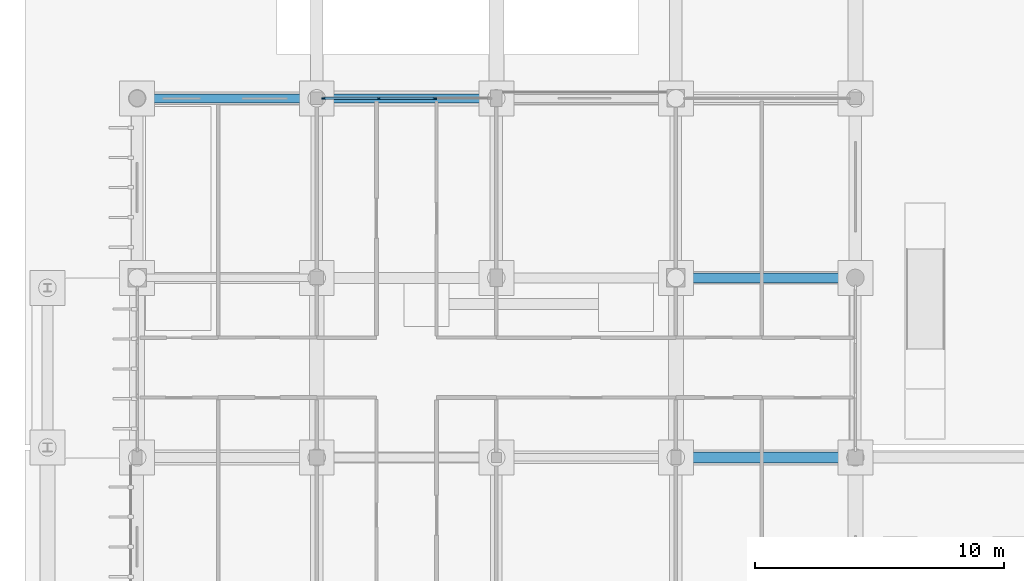
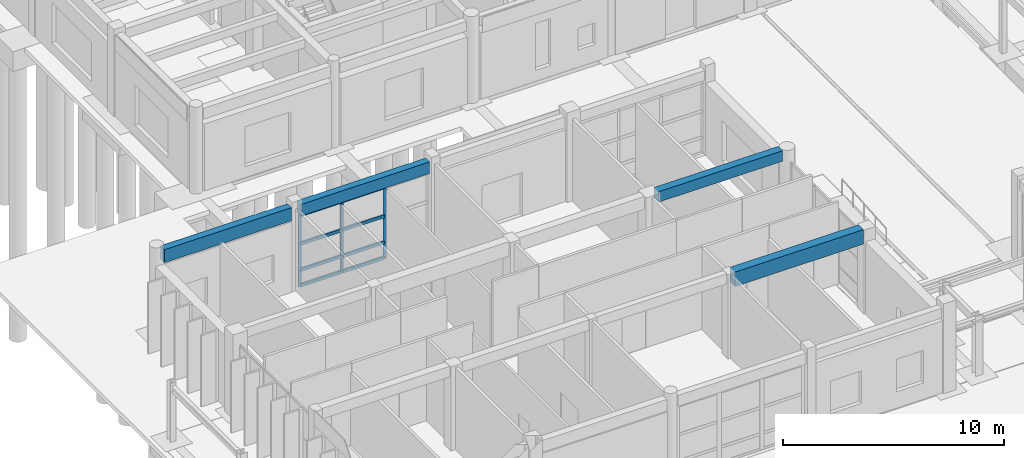
# One storey, part 35 of 143: 11 members, 4 beams, 1 element without a shape of its own.
"""IFC4 building model written with IfcOpenShell, lengths in metres."""

import ifcopenshell
import ifcopenshell.guid

model = None  # the IFC model being written
_history = None  # IfcOwnerHistory: only IFC2X3 demands one
_inside = {}  # id of a spatial element -> (the spatial element, [elements in it])
_under = {}  # id of a project, library or spatial element -> (it, [spatial elements below it])
_declared = {}  # id of a project -> (the project, [libraries it declares])
_typed = {}  # id of a type object -> (the type object, [elements of that type])
_made_of = {}  # id of a material, layer set ... -> (it, [elements and type objects made of it])


def new_model(schema):
    """Start an empty IFC model of exactly this schema.

    Asked for "IFC4X3", IfcOpenShell would pick the latest addendum, in which some entities
    have other attributes; the version numbers below select the first issue.
    IFC2X3 requires an IfcOwnerHistory on every rooted entity: one is made here for all.
    """
    global model, _history
    if schema == "IFC4X3":
        model = ifcopenshell.file(schema_version=(4, 3, 0, 0))
    else:
        model = ifcopenshell.file(schema=schema)
    _inside.clear()
    _under.clear()
    _declared.clear()
    _typed.clear()
    _made_of.clear()
    _history = None
    if model.schema == "IFC2X3":
        org = make("IfcOrganization", Name="unknown")
        user = make(
            "IfcPersonAndOrganization",
            ThePerson=make("IfcPerson", FamilyName="unknown"),
            TheOrganization=org,
        )
        app = make(
            "IfcApplication",
            ApplicationDeveloper=org,
            Version="unknown",
            ApplicationFullName="unknown",
            ApplicationIdentifier="unknown",
        )
        _history = make(
            "IfcOwnerHistory",
            OwningUser=user,
            OwningApplication=app,
            ChangeAction="ADDED",
            CreationDate=0,
        )
    return model


def make(cls, **values):
    """One entity of the class cls with the attributes given. An attribute that is None is left unset."""
    return model.create_entity(
        cls, **{name: value for name, value in values.items() if value is not None}
    )


def rooted(cls, **values):
    """An entity with a GlobalId (a new one), such as an element, a storey or a relation."""
    return make(cls, GlobalId=ifcopenshell.guid.new(), OwnerHistory=_history, **values)


def si_unit(unit_type, name, prefix=None):
    """IfcSIUnit, for example si_unit("LENGTHUNIT", "METRE", prefix="MILLI")."""
    return make("IfcSIUnit", UnitType=unit_type, Prefix=prefix, Name=name)


def assignment(units):
    """IfcUnitAssignment: the units of a project."""
    return None if units is None else make("IfcUnitAssignment", Units=units)


def point(xyz):
    """IfcCartesianPoint."""
    return None if xyz is None else make("IfcCartesianPoint", Coordinates=xyz)


def direction(xyz):
    """IfcDirection."""
    return None if xyz is None else make("IfcDirection", DirectionRatios=xyz)


def frame(location, z_axis=None, x_axis=None):
    """IfcAxis2Placement3D, a coordinate frame: its origin and axes. An axis left out is left unset."""
    return make(
        "IfcAxis2Placement3D",
        Location=point(location),
        Axis=direction(z_axis),
        RefDirection=direction(x_axis),
    )


def frame_2d(location, x_axis=None):
    """IfcAxis2Placement2D, a coordinate frame in the plane: its origin and x axis."""
    return make(
        "IfcAxis2Placement2D", Location=point(location), RefDirection=direction(x_axis)
    )


def origin():
    """The frame at (0, 0, 0) with its axes left unset."""
    return frame((0.0, 0.0, 0.0))


def origin_2d():
    """The frame at (0, 0) in the plane with its x axis left unset."""
    return frame_2d((0.0, 0.0))


def place(relative_to, where):
    """IfcLocalPlacement: puts the frame where relative to a parent placement (None: the world)."""
    return make(
        "IfcLocalPlacement", PlacementRelTo=relative_to, RelativePlacement=where
    )


def context(
    kind, dimensions, precision=None, world=None, true_north=None, identifier=None
):
    """IfcGeometricRepresentationContext, for example the 3D "Model" context."""
    return make(
        "IfcGeometricRepresentationContext",
        ContextIdentifier=identifier,
        ContextType=kind,
        CoordinateSpaceDimension=dimensions,
        Precision=precision,
        WorldCoordinateSystem=world,
        TrueNorth=true_north,
    )


def subcontext(parent, identifier, kind, view, scale=None):
    """IfcGeometricRepresentationSubContext, for example "Body" below "Model"."""
    return make(
        "IfcGeometricRepresentationSubContext",
        ContextIdentifier=identifier,
        ContextType=kind,
        ParentContext=parent,
        TargetScale=scale,
        TargetView=view,
    )


def project(units=None, contexts=None):
    """IfcProject with its units and contexts."""
    return rooted(
        "IfcProject",
        Name="project",
        RepresentationContexts=contexts,
        UnitsInContext=assignment(units),
    )


def spatial(cls, under=None, at=None, **own):
    """A site, building, storey or space (cls), placed at a placement, below another one or the project."""
    s = rooted(cls, ObjectPlacement=at, **own)
    if under is not None:
        _under.setdefault(under.id(), (under, []))[1].append(s)
    return s


def profile(cls, at=None, kind="AREA", **sizes):
    """A parametric profile (cls). Its sizes go by their IFC names, for example OverallWidth=200.0."""
    return make(cls, ProfileType=kind, Position=at, **sizes)


def rectangle(**sizes):
    """IfcRectangleProfileDef."""
    return profile("IfcRectangleProfileDef", **sizes)


def extrude(swept, where, along, depth):
    """IfcExtrudedAreaSolid: the profile swept, set in the frame where, extruded along a direction by depth."""
    return make(
        "IfcExtrudedAreaSolid",
        SweptArea=swept,
        Position=where,
        ExtrudedDirection=direction(along),
        Depth=depth,
    )


def shape(context_of_items, identifier, shape_type, items):
    """IfcShapeRepresentation: the items that make up one representation, for example the "Body"."""
    return make(
        "IfcShapeRepresentation",
        ContextOfItems=context_of_items,
        RepresentationIdentifier=identifier,
        RepresentationType=shape_type,
        Items=items,
    )


def material(Name=None, Category=None):
    """IfcMaterial."""
    return make("IfcMaterial", Name=Name, Category=Category)


def material_profile(
    of_material, cross_section, Name=None, Category=None, Priority=None
):
    """IfcMaterialProfile: a cross section and its material."""
    return make(
        "IfcMaterialProfile",
        Name=Name,
        Material=of_material,
        Profile=cross_section,
        Priority=Priority,
        Category=Category,
    )


def profile_set(profiles, Name=None, composite=None):
    """IfcMaterialProfileSet."""
    return make(
        "IfcMaterialProfileSet",
        Name=Name,
        MaterialProfiles=profiles,
        CompositeProfile=composite,
    )


def made_of(thing, what):
    """Note that an element or type object is made of a material, layer set ...; save() writes the relation."""
    if what is not None:
        _made_of.setdefault(what.id(), (what, []))[1].append(thing)
    return thing


def type_object(cls, material=None, **own):
    """A type object (cls), such as IfcWallType, which elements share."""
    return made_of(rooted(cls, **own), material)


def element(
    cls,
    number,
    at=None,
    inside=None,
    cuts=None,
    type_object=None,
    material=None,
    context=None,
    identifier="Body",
    shape_type=None,
    held_by="IfcProductDefinitionShape",
    body=None,
    shapes=None,
    **own,
):
    """One element of the class cls, such as IfcWall. Its Tag is "e" and its number.

    at: its placement. inside: the storey or other place that contains it. cuts: it is an
    opening in that element (IfcRelVoidsElement). A single representation is given by context,
    identifier, shape_type and body (its items); several are given by shapes. held_by: the class
    of the entity that holds the representations. save() writes the other relations.
    """
    e = rooted(cls, Tag="e%d" % number, ObjectPlacement=at, **own)
    if body is not None:
        shapes = [shape(context, identifier, shape_type, body)]
    if shapes is not None:
        e.Representation = make(held_by, Representations=shapes)
    if inside is not None:
        _inside.setdefault(inside.id(), (inside, []))[1].append(e)
    if cuts is not None:
        rooted(
            "IfcRelVoidsElement", RelatingBuildingElement=cuts, RelatedOpeningElement=e
        )
    if type_object is not None:
        _typed.setdefault(type_object.id(), (type_object, []))[1].append(e)
    return made_of(e, material)


def aggregate(whole, parts):
    """IfcRelAggregates: a whole, such as a stair, and the parts it consists of."""
    return rooted("IfcRelAggregates", RelatingObject=whole, RelatedObjects=parts)


def save(model, path):
    """Write the relations noted so far, then the file.

    IfcRelAggregates (storeys below a building ...), IfcRelContainedInSpatialStructure (elements
    in a storey), IfcRelDefinesByType, IfcRelAssociatesMaterial and IfcRelDeclares: one each for
    every whole, place, type object, material and project.
    """
    for whole, parts in _under.values():
        aggregate(whole, parts)
    for where, things in _inside.values():
        rooted(
            "IfcRelContainedInSpatialStructure",
            RelatedElements=things,
            RelatingStructure=where,
        )
    for kind, things in _typed.values():
        rooted("IfcRelDefinesByType", RelatedObjects=things, RelatingType=kind)
    for what, things in _made_of.values():
        rooted("IfcRelAssociatesMaterial", RelatedObjects=things, RelatingMaterial=what)
    for by, libraries in _declared.values():
        rooted("IfcRelDeclares", RelatingContext=by, RelatedDefinitions=libraries)
    model.write(path)


model = new_model("IFC4")

# Units and contexts
model_context = context("Model", 3, precision=1e-05, world=origin(), true_north=direction((0.0, 1.0)))
body_context = subcontext(model_context, "Body", "Model", "MODEL_VIEW")
ifc_project = project(units=[si_unit("LENGTHUNIT", "METRE"), si_unit("AREAUNIT", "SQUARE_METRE"), si_unit("VOLUMEUNIT", "CUBIC_METRE"), si_unit("PLANEANGLEUNIT", "RADIAN"), si_unit("MASSUNIT", "GRAM", prefix="KILO")], contexts=[model_context])

# Site, building, storey
site_placement = place(None, origin())
site = spatial("IfcSite", under=ifc_project, at=site_placement, CompositionType="ELEMENT")
building_placement = place(site_placement, origin())
building = spatial("IfcBuilding", under=site, at=building_placement, Name="Steenspoor Specialist Clinic", CompositionType="ELEMENT")
storey_placement = place(building_placement, origin())
storey = spatial("IfcBuildingStorey", under=building, at=storey_placement, Name="L00", CompositionType="ELEMENT", Elevation=0.0)

# Beams
ifc_material_1 = material(Name="Concrete C35/45", Category="concrete")
ifc_material_profile_1 = material_profile(ifc_material_1, rectangle(XDim=0.39990234375, YDim=0.580078125, at=origin_2d()), Name="RC-BM-400X580")
ifc_profile_set_1 = profile_set([ifc_material_profile_1], Name="Concrete C35/45")
beam_type_1 = type_object("IfcBeamType", Name="BM-RC-400X580", PredefinedType="BEAM", material=ifc_profile_set_1)
beam_1_placement = place(storey_placement, frame((30.3701171875, 49.050048828125, 4.344970703125), z_axis=(1.0, 0.0, 0.0), x_axis=(0.0, 1.0, 0.0)))
element("IfcBeam", 1, at=beam_1_placement, inside=storey, type_object=beam_type_1, Name="BM-V3-L00-X0281", PredefinedType="BEAM", context=body_context, shape_type="SweptSolid", body=[
    extrude(rectangle(XDim=0.39990234375, YDim=0.580078125, at=origin_2d()), origin(), (0.0, 0.0, 1.0), 6.48486328125),
])
ifc_material_profile_2 = material_profile(ifc_material_1, rectangle(XDim=0.449951171875, YDim=0.800048828125, at=origin_2d()), Name="RC-BM-450X800")
ifc_profile_set_2 = profile_set([ifc_material_profile_2], Name="Concrete C35/45")
beam_type_2 = type_object("IfcBeamType", Name="BM-RC-450X800", PredefinedType="BEAM", material=ifc_profile_set_2)
beam_2_placement = place(storey_placement, frame((30.195068359375, 41.85009765625, 4.235107421875), z_axis=(1.0, 0.0, 0.0), x_axis=(0.0, 1.0, 0.0)))
element("IfcBeam", 2, at=beam_2_placement, inside=storey, type_object=beam_type_2, Name="BM-V3-L00-X0277", PredefinedType="BEAM", context=body_context, shape_type="SweptSolid", body=[
    extrude(rectangle(XDim=0.449951171875, YDim=0.800048828125, at=origin_2d()), origin(), (0.0, 0.0, 1.0), 6.7099609375),
])

# Curtain wall, members
ifc_material_2 = material(Name="Thermally broken aluminium and low-emissivity glass", Category="aluminium")
curtain_wall_type = type_object("IfcCurtainWallType", Name="CW-TYP-300X355", PredefinedType="USERDEFINED", material=ifc_material_2)
curtain_wall_placement = place(storey_placement, origin())
curtain_wall = element("IfcCurtainWall", 3, at=curtain_wall_placement, inside=storey, type_object=curtain_wall_type, Name="Unitised Curtain Wall CW-V3-L00-039", ObjectType="UNITISED GLAZING", PredefinedType="USERDEFINED")
ifc_material_3 = material(Name="Thermally broken aluminium 6063-T6", Category="aluminium")
ifc_material_profile_3 = material_profile(ifc_material_3, rectangle(XDim=0.06494140625, YDim=0.14990234375, at=origin_2d()), Name="CWM-65X150")
ifc_profile_set_3 = profile_set([ifc_material_profile_3], Name="Thermally broken aluminium 6063-T6")
member_type_1 = type_object("IfcMemberType", Name="CW-MULL-65X150", PredefinedType="MULLION", material=ifc_profile_set_3)
member_1_placement = place(storey_placement, frame((15.882568359375, 56.25, 0.0), z_axis=(0.0, 0.0, 1.0), x_axis=(0.0, 1.0, 0.0)))
member_1 = element("IfcMember", 4, at=member_1_placement, type_object=member_type_1, Name="CW-15 mullion 1", PredefinedType="MULLION", context=body_context, shape_type="SweptSolid", body=[
    extrude(rectangle(XDim=0.06494140625, YDim=0.14990234375, at=origin_2d()), origin(), (0.0, 0.0, 1.0), 3.97998046875),
])
member_2_placement = place(storey_placement, frame((18.091552734375, 56.25, 0.0), z_axis=(0.0, 0.0, 1.0), x_axis=(0.0, 1.0, 0.0)))
member_2 = element("IfcMember", 5, at=member_2_placement, type_object=member_type_1, Name="CW-15 mullion 2", PredefinedType="MULLION", context=body_context, shape_type="SweptSolid", body=[
    extrude(rectangle(XDim=0.06494140625, YDim=0.14990234375, at=origin_2d()), origin(), (0.0, 0.0, 1.0), 3.97998046875),
])
member_3_placement = place(storey_placement, frame((20.333251953125, 56.25, 0.0), z_axis=(0.0, 0.0, 1.0), x_axis=(0.0, 1.0, 0.0)))
member_3 = element("IfcMember", 6, at=member_3_placement, type_object=member_type_1, Name="CW-15 mullion 3", PredefinedType="MULLION", context=body_context, shape_type="SweptSolid", body=[
    extrude(rectangle(XDim=0.06494140625, YDim=0.14990234375, at=origin_2d()), origin(), (0.0, 0.0, 1.0), 3.97998046875),
])
ifc_material_profile_4 = material_profile(ifc_material_3, rectangle(XDim=0.090087890625, YDim=0.175048828125, at=origin_2d()), Name="CWT-90X175")
ifc_profile_set_4 = profile_set([ifc_material_profile_4], Name="Thermally broken aluminium 6063-T6")
member_type_2 = type_object("IfcMemberType", Name="CW-TRAN-90X175", PredefinedType="USERDEFINED", material=ifc_profile_set_4)
member_4_placement = place(storey_placement, frame((15.9150390625, 56.25, 0.044921875), z_axis=(1.0, 0.0, 0.0), x_axis=(0.0, 1.0, 0.0)))
member_4 = element("IfcMember", 7, at=member_4_placement, type_object=member_type_2, Name="CW-15 transom 1.1", ObjectType="TRANSOM", PredefinedType="USERDEFINED", context=body_context, shape_type="SweptSolid", body=[
    extrude(rectangle(XDim=0.090087890625, YDim=0.175048828125, at=origin_2d()), origin(), (0.0, 0.0, 1.0), 2.14404296875),
])
member_5_placement = place(storey_placement, frame((15.9150390625, 56.25, 0.89990234375), z_axis=(1.0, 0.0, 0.0), x_axis=(0.0, 1.0, 0.0)))
member_5 = element("IfcMember", 8, at=member_5_placement, type_object=member_type_2, Name="CW-15 transom 1.2", ObjectType="TRANSOM", PredefinedType="USERDEFINED", context=body_context, shape_type="SweptSolid", body=[
    extrude(rectangle(XDim=0.090087890625, YDim=0.175048828125, at=origin_2d()), origin(), (0.0, 0.0, 1.0), 2.14404296875),
])
member_6_placement = place(storey_placement, frame((15.9150390625, 56.25, 2.35009765625), z_axis=(1.0, 0.0, 0.0), x_axis=(0.0, 1.0, 0.0)))
member_6 = element("IfcMember", 9, at=member_6_placement, type_object=member_type_2, Name="CW-15 transom 1.3", ObjectType="TRANSOM", PredefinedType="USERDEFINED", context=body_context, shape_type="SweptSolid", body=[
    extrude(rectangle(XDim=0.090087890625, YDim=0.175048828125, at=origin_2d()), origin(), (0.0, 0.0, 1.0), 2.14404296875),
])
member_7_placement = place(storey_placement, frame((15.9150390625, 56.25, 3.93505859375), z_axis=(1.0, 0.0, 0.0), x_axis=(0.0, 1.0, 0.0)))
member_7 = element("IfcMember", 10, at=member_7_placement, type_object=member_type_2, Name="CW-15 transom 1.4", ObjectType="TRANSOM", PredefinedType="USERDEFINED", context=body_context, shape_type="SweptSolid", body=[
    extrude(rectangle(XDim=0.090087890625, YDim=0.175048828125, at=origin_2d()), origin(), (0.0, 0.0, 1.0), 2.14404296875),
])
member_8_placement = place(storey_placement, frame((18.124267578125, 56.25, 0.044921875), z_axis=(1.0, 0.0, 0.0), x_axis=(0.0, 1.0, 0.0)))
member_8 = element("IfcMember", 11, at=member_8_placement, type_object=member_type_2, Name="CW-15 transom 2.1", ObjectType="TRANSOM", PredefinedType="USERDEFINED", context=body_context, shape_type="SweptSolid", body=[
    extrude(rectangle(XDim=0.090087890625, YDim=0.175048828125, at=origin_2d()), origin(), (0.0, 0.0, 1.0), 2.176513671875),
])
member_9_placement = place(storey_placement, frame((18.124267578125, 56.25, 0.89990234375), z_axis=(1.0, 0.0, 0.0), x_axis=(0.0, 1.0, 0.0)))
member_9 = element("IfcMember", 12, at=member_9_placement, type_object=member_type_2, Name="CW-15 transom 2.2", ObjectType="TRANSOM", PredefinedType="USERDEFINED", context=body_context, shape_type="SweptSolid", body=[
    extrude(rectangle(XDim=0.090087890625, YDim=0.175048828125, at=origin_2d()), origin(), (0.0, 0.0, 1.0), 2.176513671875),
])
member_10_placement = place(storey_placement, frame((18.124267578125, 56.25, 2.35009765625), z_axis=(1.0, 0.0, 0.0), x_axis=(0.0, 1.0, 0.0)))
member_10 = element("IfcMember", 13, at=member_10_placement, type_object=member_type_2, Name="CW-15 transom 2.3", ObjectType="TRANSOM", PredefinedType="USERDEFINED", context=body_context, shape_type="SweptSolid", body=[
    extrude(rectangle(XDim=0.090087890625, YDim=0.175048828125, at=origin_2d()), origin(), (0.0, 0.0, 1.0), 2.176513671875),
])
member_11_placement = place(storey_placement, frame((18.124267578125, 56.25, 3.93505859375), z_axis=(1.0, 0.0, 0.0), x_axis=(0.0, 1.0, 0.0)))
member_11 = element("IfcMember", 14, at=member_11_placement, type_object=member_type_2, Name="CW-15 transom 2.4", ObjectType="TRANSOM", PredefinedType="USERDEFINED", context=body_context, shape_type="SweptSolid", body=[
    extrude(rectangle(XDim=0.090087890625, YDim=0.175048828125, at=origin_2d()), origin(), (0.0, 0.0, 1.0), 2.176513671875),
])
aggregate(curtain_wall, [member_1, member_2, member_3, member_4, member_5, member_6, member_7, member_8, member_9, member_10, member_11])

# Beams
ifc_material_profile_5 = material_profile(ifc_material_1, rectangle(XDim=0.360107421875, YDim=0.639892578125, at=origin_2d()), Name="RC-SP-360X640")
ifc_profile_set_5 = profile_set([ifc_material_profile_5], Name="Concrete C35/45")
beam_type_3 = type_object("IfcBeamType", Name="SP-RC-360X640", PredefinedType="SPANDREL", material=ifc_profile_set_5)
beam_3_placement = place(storey_placement, frame((15.844970703125, 56.25, 4.31494140625), z_axis=(1.0, 0.0, 0.0), x_axis=(0.0, 1.0, 0.0)))
element("IfcBeam", 15, at=beam_3_placement, inside=storey, type_object=beam_type_3, Name="BM-V3-L00-X0283", PredefinedType="SPANDREL", context=body_context, shape_type="SweptSolid", body=[
    extrude(rectangle(XDim=0.360107421875, YDim=0.639892578125, at=origin_2d()), origin(), (0.0, 0.0, 1.0), 6.735107421875),
])
ifc_material_profile_6 = material_profile(ifc_material_1, rectangle(XDim=0.360107421875, YDim=0.719970703125, at=origin_2d()), Name="RC-SP-360X720")
ifc_profile_set_6 = profile_set([ifc_material_profile_6], Name="Concrete C35/45")
beam_type_4 = type_object("IfcBeamType", Name="SP-RC-360X720", PredefinedType="SPANDREL", material=ifc_profile_set_6)
beam_4_placement = place(storey_placement, frame((8.719970703125, 56.25, 4.27490234375), z_axis=(1.0, 0.0, 0.0), x_axis=(0.0, 1.0, 0.0)))
element("IfcBeam", 16, at=beam_4_placement, inside=storey, type_object=beam_type_4, Name="BM-V3-L00-X0282", PredefinedType="SPANDREL", context=body_context, shape_type="SweptSolid", body=[
    extrude(rectangle(XDim=0.360107421875, YDim=0.719970703125, at=origin_2d()), origin(), (0.0, 0.0, 1.0), 6.635009765625),
])

save(model, "model.ifc")
